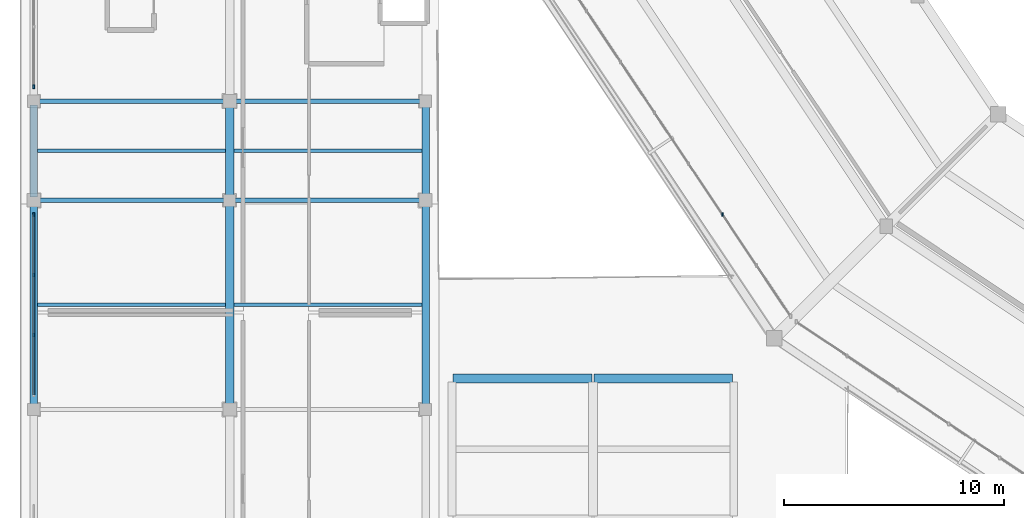
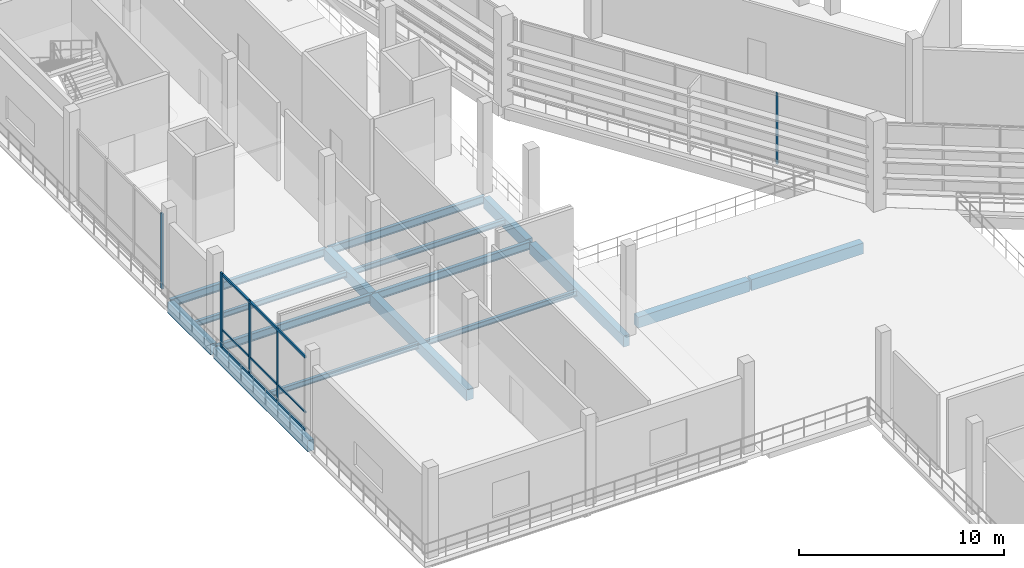
# One storey, part 12 of 111: 16 beams, 8 members, 3 elements without a shape of their own.
"""IFC4 building model written with IfcOpenShell, lengths in metres."""

from ifc_helpers import new_model, si_unit, direction, frame, origin, origin_2d, place, context, subcontext, project, spatial, rectangle, i_section, extrude, material, material_profile, profile_set, type_object, element, aggregate, save


model = new_model("IFC4")

# Units and contexts
model_context = context("Model", 3, precision=1e-05, world=origin(), true_north=direction((0.0, 1.0)))
body_context = subcontext(model_context, "Body", "Model", "MODEL_VIEW")
ifc_project = project(units=[si_unit("LENGTHUNIT", "METRE"), si_unit("AREAUNIT", "SQUARE_METRE"), si_unit("VOLUMEUNIT", "CUBIC_METRE"), si_unit("PLANEANGLEUNIT", "RADIAN"), si_unit("MASSUNIT", "GRAM", prefix="KILO")], contexts=[model_context])

# Site, building, storey
site_placement = place(None, origin())
site = spatial("IfcSite", under=ifc_project, at=site_placement, CompositionType="ELEMENT")
building_placement = place(site_placement, origin())
building = spatial("IfcBuilding", under=site, at=building_placement, Name="Candeia Ridge Stadium", CompositionType="ELEMENT")
storey_placement = place(building_placement, frame((0.0, 0.0, 16.199951171875)))
storey = spatial("IfcBuildingStorey", under=building, at=storey_placement, Name="L03", CompositionType="ELEMENT", Elevation=16.199951171875)

# Curtain wall, member
ifc_material_1 = material(Name="Aluminium Anodized Warm Bronze", Category="aluminium")
curtain_wall_type_1 = type_object("IfcCurtainWallType", Name="West Pavilion Hospitality Curtain Wall", PredefinedType="NOTDEFINED", material=ifc_material_1)
curtain_wall_1_placement = place(storey_placement, origin())
curtain_wall_1 = element("IfcCurtainWall", 1, at=curtain_wall_1_placement, inside=storey, type_object=curtain_wall_type_1, Name="Unitised curtain wall CW-WNG-L03-087", PredefinedType="NOTDEFINED")
ifc_material_profile_1 = material_profile(ifc_material_1, rectangle(XDim=0.090087890625, YDim=0.179931640625, at=origin_2d()), Name="CWM-90x180", Category="aluminium")
ifc_profile_set_1 = profile_set([ifc_material_profile_1], Name="Aluminium Anodized Warm Bronze")
member_type_1 = type_object("IfcMemberType", Name="Curtain Wall Primary Mullion 90x180", PredefinedType="MULLION", material=ifc_profile_set_1)
member_1_placement = place(storey_placement, frame((0.60009765625, 39.840087890625, 0.0), z_axis=(0.0, 0.0, 1.0), x_axis=(1.0, 0.0, 0.0)))
member_1 = element("IfcMember", 2, at=member_1_placement, type_object=member_type_1, Name="Curtain wall mullion CW-WNG-L03-087-M3", PredefinedType="MULLION", context=body_context, shape_type="SweptSolid", body=[
    extrude(rectangle(XDim=0.090087890625, YDim=0.179931640625, at=origin_2d()), origin(), (0.0, 0.0, 1.0), 4.465087890625),
])

curtain_wall_2_placement = place(storey_placement, origin())
curtain_wall_2 = element("IfcCurtainWall", 3, at=curtain_wall_2_placement, inside=storey, type_object=curtain_wall_type_1, Name="Unitised curtain wall CW-WNG-L03-088", PredefinedType="NOTDEFINED")
member_2_placement = place(storey_placement, frame((0.60009765625, 45.659912109375, 0.0), z_axis=(0.0, 0.0, 1.0), x_axis=(1.0, 0.0, 0.0)))
member_2 = element("IfcMember", 4, at=member_2_placement, type_object=member_type_1, Name="Curtain wall mullion CW-WNG-L03-088-M0", PredefinedType="MULLION", context=body_context, shape_type="SweptSolid", body=[
    extrude(rectangle(XDim=0.090087890625, YDim=0.179931640625, at=origin_2d()), origin(), (0.0, 0.0, 1.0), 4.47509765625),
])
aggregate(curtain_wall_2, [member_2])

curtain_wall_type_2 = type_object("IfcCurtainWallType", Name="Concourse Recessed Unitised Curtain Wall", PredefinedType="NOTDEFINED", material=ifc_material_1)
curtain_wall_3_placement = place(storey_placement, origin())
curtain_wall_3 = element("IfcCurtainWall", 5, at=curtain_wall_3_placement, inside=storey, type_object=curtain_wall_type_2, Name="Unitised curtain wall CW-BWL-L03-15", PredefinedType="NOTDEFINED")
ifc_material_profile_2 = material_profile(ifc_material_1, rectangle(XDim=0.074951171875, YDim=0.14990234375, at=origin_2d()), Name="CWM-75x150", Category="aluminium")
ifc_profile_set_2 = profile_set([ifc_material_profile_2], Name="Aluminium Anodized Warm Bronze")
member_type_2 = type_object("IfcMemberType", Name="Curtain Wall Secondary Mullion 75x150", PredefinedType="MULLION", material=ifc_profile_set_2)
member_3_placement = place(storey_placement, frame((31.889892578125, 39.851806640625, 0.0), z_axis=(0.0, 0.0, 1.0), x_axis=(1.0, 0.0, 0.0)))
member_3 = element("IfcMember", 6, at=member_3_placement, type_object=member_type_2, Name="Curtain wall mullion CW-BWL-L03-15-M5", PredefinedType="MULLION", context=body_context, shape_type="SweptSolid", body=[
    extrude(rectangle(XDim=0.074951171875, YDim=0.14990234375, at=origin_2d()), origin(), (0.0, 0.0, 1.0), 4.205078125),
])
aggregate(curtain_wall_3, [member_3])

# Member
member_4_placement = place(storey_placement, frame((0.60009765625, 34.38671875, 0.0), z_axis=(0.0, 0.0, 1.0), x_axis=(1.0, 0.0, 0.0)))
member_4 = element("IfcMember", 7, at=member_4_placement, type_object=member_type_2, Name="Curtain wall mullion CW-WNG-L03-087-M1", PredefinedType="MULLION", context=body_context, shape_type="SweptSolid", body=[
    extrude(rectangle(XDim=0.074951171875, YDim=0.14990234375, at=origin_2d()), origin(), (0.0, 0.0, 1.0), 4.465087890625),
])

member_5_placement = place(storey_placement, frame((0.60009765625, 37.11328125, 0.0), z_axis=(0.0, 0.0, 1.0), x_axis=(1.0, 0.0, 0.0)))
member_5 = element("IfcMember", 8, at=member_5_placement, type_object=member_type_2, Name="Curtain wall mullion CW-WNG-L03-087-M2", PredefinedType="MULLION", context=body_context, shape_type="SweptSolid", body=[
    extrude(rectangle(XDim=0.074951171875, YDim=0.14990234375, at=origin_2d()), origin(), (0.0, 0.0, 1.0), 4.465087890625),
])

ifc_material_profile_3 = material_profile(ifc_material_1, rectangle(XDim=0.074951171875, YDim=0.110107421875, at=origin_2d()), Name="CWT-75x110", Category="aluminium")
ifc_profile_set_3 = profile_set([ifc_material_profile_3], Name="Aluminium Anodized Warm Bronze")
member_type_3 = type_object("IfcMemberType", Name="Curtain Wall Secondary Transom 75x110", PredefinedType="USERDEFINED", material=ifc_profile_set_3)
member_6_placement = place(storey_placement, frame((0.60009765625, 31.659912109375, 1.10009765625), z_axis=(0.0, 1.0, 0.0), x_axis=(-1.0, 0.0, 0.0)))
member_6 = element("IfcMember", 9, at=member_6_placement, type_object=member_type_3, Name="Curtain wall transom CW-WNG-L03-087-T1", ObjectType="TRANSOM", PredefinedType="USERDEFINED", context=body_context, shape_type="SweptSolid", body=[
    extrude(rectangle(XDim=0.074951171875, YDim=0.110107421875, at=origin_2d()), origin(), (0.0, 0.0, 1.0), 8.18017578125),
])

ifc_material_profile_4 = material_profile(ifc_material_1, rectangle(XDim=0.090087890625, YDim=0.139892578125, at=origin_2d()), Name="CWT-90x140", Category="aluminium")
ifc_profile_set_4 = profile_set([ifc_material_profile_4], Name="Aluminium Anodized Warm Bronze")
member_type_4 = type_object("IfcMemberType", Name="Curtain Wall Transom 90x140", PredefinedType="USERDEFINED", material=ifc_profile_set_4)
member_7_placement = place(storey_placement, frame((0.60009765625, 31.659912109375, 0.070068359375), z_axis=(0.0, 1.0, 0.0), x_axis=(-1.0, 0.0, 0.0)))
member_7 = element("IfcMember", 10, at=member_7_placement, type_object=member_type_4, Name="Curtain wall transom CW-WNG-L03-087-T0", ObjectType="TRANSOM", PredefinedType="USERDEFINED", context=body_context, shape_type="SweptSolid", body=[
    extrude(rectangle(XDim=0.090087890625, YDim=0.139892578125, at=origin_2d()), origin(), (0.0, 0.0, 1.0), 8.18017578125),
])

member_8_placement = place(storey_placement, frame((0.60009765625, 31.659912109375, 4.39501953125), z_axis=(0.0, 1.0, 0.0), x_axis=(-1.0, 0.0, 0.0)))
member_8 = element("IfcMember", 11, at=member_8_placement, type_object=member_type_4, Name="Curtain wall transom CW-WNG-L03-087-T2", ObjectType="TRANSOM", PredefinedType="USERDEFINED", context=body_context, shape_type="SweptSolid", body=[
    extrude(rectangle(XDim=0.090087890625, YDim=0.139892578125, at=origin_2d()), origin(), (0.0, 0.0, 1.0), 8.18017578125),
])

aggregate(curtain_wall_1, [member_4, member_5, member_1, member_7, member_6, member_8])

# Beams
ifc_material_2 = material(Name="Steel ASTM A572 Grade 50", Category="steel")
ifc_material_profile_5 = material_profile(ifc_material_2, i_section(OverallWidth=0.1669921875, OverallDepth=0.31689453125, WebThickness=0.007568359375, FlangeThickness=0.01318359375, FilletRadius=0.011962890625, at=origin_2d()), Name="W310x52", Category="steel")
ifc_profile_set_5 = profile_set([ifc_material_profile_5], Name="Steel ASTM A572 Grade 50")
beam_type_1 = type_object("IfcBeamType", Name="Pavilion Secondary Joist W310x52", PredefinedType="JOIST", material=ifc_profile_set_5)
for number, where, z_axis, x_axis, name in (
    (12, (0.7744140625, 35.75, -0.408447265625), (1.0, 0.0, 0.0), (0.0, 1.0, 0.0), "Wing secondary joist BM-L03-1234"),
    (13, (0.7744140625, 42.75, -0.408447265625), (1.0, 0.0, 0.0), (0.0, 1.0, 0.0), "Wing secondary joist BM-L03-1236"),
    (14, (9.699462890625, 35.75, -0.408447265625), (1.0, 0.0, 0.0), (0.0, 1.0, 0.0), "Wing secondary joist BM-L03-1252"),
    (15, (9.699462890625, 42.75, -0.408447265625), (1.0, 0.0, 0.0), (0.0, 1.0, 0.0), "Wing secondary joist BM-L03-1254"),
):
    element("IfcBeam", number, at=place(storey_placement, frame(where, z_axis=z_axis, x_axis=x_axis)), inside=storey, type_object=beam_type_1, Name=name, PredefinedType="JOIST", context=body_context, shape_type="SweptSolid", body=[
        extrude(i_section(OverallWidth=0.1669921875, OverallDepth=0.31689453125, WebThickness=0.007568359375, FlangeThickness=0.01318359375, FilletRadius=0.011962890625, at=origin_2d()), origin(), (0.0, 0.0, 1.0), 8.526123046875),
    ])
ifc_material_profile_6 = material_profile(ifc_material_2, i_section(OverallWidth=0.18994140625, OverallDepth=0.45703125, WebThickness=0.009033203125, FlangeThickness=0.014404296875, FilletRadius=0.012939453125, at=origin_2d()), Name="W460x74", Category="steel")
ifc_profile_set_6 = profile_set([ifc_material_profile_6], Name="Steel ASTM A572 Grade 50")
beam_type_2 = type_object("IfcBeamType", Name="Pavilion Steel Girder W460x74", PredefinedType="BEAM", material=ifc_profile_set_6)
for number, where, z_axis, x_axis, name in (
    (16, (0.64990234375, 40.5, -0.478515625), (1.0, 0.0, 0.0), (0.0, 1.0, 0.0), "Structural girder BM-L03-1235"),
    (17, (0.64990234375, 45.0, -0.478515625), (1.0, 0.0, 0.0), (0.0, 1.0, 0.0), "Structural girder BM-L03-1237"),
    (18, (9.550048828125, 40.5, -0.478515625), (1.0, 0.0, 0.0), (0.0, 1.0, 0.0), "Structural girder BM-L03-1253"),
    (19, (9.550048828125, 45.0, -0.478515625), (1.0, 0.0, 0.0), (0.0, 1.0, 0.0), "Structural girder BM-L03-1255"),
):
    element("IfcBeam", number, at=place(storey_placement, frame(where, z_axis=z_axis, x_axis=x_axis)), inside=storey, type_object=beam_type_2, Name=name, PredefinedType="BEAM", context=body_context, shape_type="SweptSolid", body=[
        extrude(i_section(OverallWidth=0.18994140625, OverallDepth=0.45703125, WebThickness=0.009033203125, FlangeThickness=0.014404296875, FilletRadius=0.012939453125, at=origin_2d()), origin(), (0.0, 0.0, 1.0), 8.800048828125),
    ])
ifc_material_3 = material(Name="Concrete C40/50", Category="concrete")
ifc_material_profile_7 = material_profile(ifc_material_3, rectangle(XDim=0.35009765625, YDim=0.64990234375, at=origin_2d()), Name="RC350x650", Category="concrete")
ifc_profile_set_7 = profile_set([ifc_material_profile_7], Name="Concrete C40/50")
beam_type_3 = type_object("IfcBeamType", Name="Spandrel Beam RC350x650", PredefinedType="SPANDREL", material=ifc_profile_set_7)
beam_1_placement = place(storey_placement, frame((0.60009765625, 31.159912109375, -0.574951171875), z_axis=(0.0, 1.0, 0.0), x_axis=(-1.0, 0.0, 0.0)))
element("IfcBeam", 20, at=beam_1_placement, inside=storey, type_object=beam_type_3, Name="Structural girder BM-L03-1194", PredefinedType="SPANDREL", context=body_context, shape_type="SweptSolid", body=[
    extrude(rectangle(XDim=0.35009765625, YDim=0.64990234375, at=origin_2d()), origin(), (0.0, 0.0, 1.0), 9.18017578125),
])
beam_2_placement = place(storey_placement, frame((0.60009765625, 40.659912109375, -0.574951171875), z_axis=(0.0, 1.0, 0.0), x_axis=(-1.0, 0.0, 0.0)))
element("IfcBeam", 21, at=beam_2_placement, inside=storey, type_object=beam_type_3, Name="Structural girder BM-L03-1195", PredefinedType="SPANDREL", context=body_context, shape_type="SweptSolid", body=[
    extrude(rectangle(XDim=0.35009765625, YDim=0.64990234375, at=origin_2d()), origin(), (0.0, 0.0, 1.0), 4.18017578125),
])
beam_3_placement = place(storey_placement, frame((18.39990234375, 31.159912109375, -0.574951171875), z_axis=(0.0, 1.0, 0.0), x_axis=(-1.0, 0.0, 0.0)))
element("IfcBeam", 22, at=beam_3_placement, inside=storey, type_object=beam_type_3, Name="Structural girder BM-L03-1220", PredefinedType="SPANDREL", context=body_context, shape_type="SweptSolid", body=[
    extrude(rectangle(XDim=0.35009765625, YDim=0.64990234375, at=origin_2d()), origin(), (0.0, 0.0, 1.0), 9.18017578125),
])
beam_4_placement = place(storey_placement, frame((18.39990234375, 40.659912109375, -0.574951171875), z_axis=(0.0, 1.0, 0.0), x_axis=(-1.0, 0.0, 0.0)))
element("IfcBeam", 23, at=beam_4_placement, inside=storey, type_object=beam_type_3, Name="Structural girder BM-L03-1221", PredefinedType="SPANDREL", context=body_context, shape_type="SweptSolid", body=[
    extrude(rectangle(XDim=0.35009765625, YDim=0.64990234375, at=origin_2d()), origin(), (0.0, 0.0, 1.0), 4.18017578125),
])
ifc_material_profile_8 = material_profile(ifc_material_3, rectangle(XDim=0.39990234375, YDim=0.64990234375, at=origin_2d()), Name="RC400x650", Category="concrete")
ifc_profile_set_8 = profile_set([ifc_material_profile_8], Name="Concrete C40/50")
beam_type_4 = type_object("IfcBeamType", Name="Wing Primary Girder RC400x650", PredefinedType="BEAM", material=ifc_profile_set_8)
beam_5_placement = place(storey_placement, frame((9.5, 31.050048828125, -0.574951171875), z_axis=(0.0, 1.0, 0.0), x_axis=(-1.0, 0.0, 0.0)))
element("IfcBeam", 24, at=beam_5_placement, inside=storey, type_object=beam_type_4, Name="Structural girder BM-L03-1208", PredefinedType="BEAM", context=body_context, shape_type="SweptSolid", body=[
    extrude(rectangle(XDim=0.39990234375, YDim=0.64990234375, at=origin_2d()), origin(), (0.0, 0.0, 1.0), 9.39990234375),
])
beam_6_placement = place(storey_placement, frame((9.5, 40.550048828125, -0.574951171875), z_axis=(0.0, 1.0, 0.0), x_axis=(-1.0, 0.0, 0.0)))
element("IfcBeam", 25, at=beam_6_placement, inside=storey, type_object=beam_type_4, Name="Structural girder BM-L03-1209", PredefinedType="BEAM", context=body_context, shape_type="SweptSolid", body=[
    extrude(rectangle(XDim=0.39990234375, YDim=0.64990234375, at=origin_2d()), origin(), (0.0, 0.0, 1.0), 4.39990234375),
])
for number, where, z_axis, x_axis, name in (
    (26, (19.64990234375, 32.39990234375, -0.574951171875), (1.0, 0.0, 0.0), (0.0, 1.0, 0.0), "Structural girder BM-L03-2410"),
    (27, (26.050048828125, 32.39990234375, -0.574951171875), (1.0, 0.0, 0.0), (0.0, 1.0, 0.0), "Structural girder BM-L03-2415"),
):
    element("IfcBeam", number, at=place(storey_placement, frame(where, z_axis=z_axis, x_axis=x_axis)), inside=storey, type_object=beam_type_4, Name=name, PredefinedType="BEAM", context=body_context, shape_type="SweptSolid", body=[
        extrude(rectangle(XDim=0.39990234375, YDim=0.64990234375, at=origin_2d()), origin(), (0.0, 0.0, 1.0), 6.300048828125),
    ])

save(model, "model.ifc")
